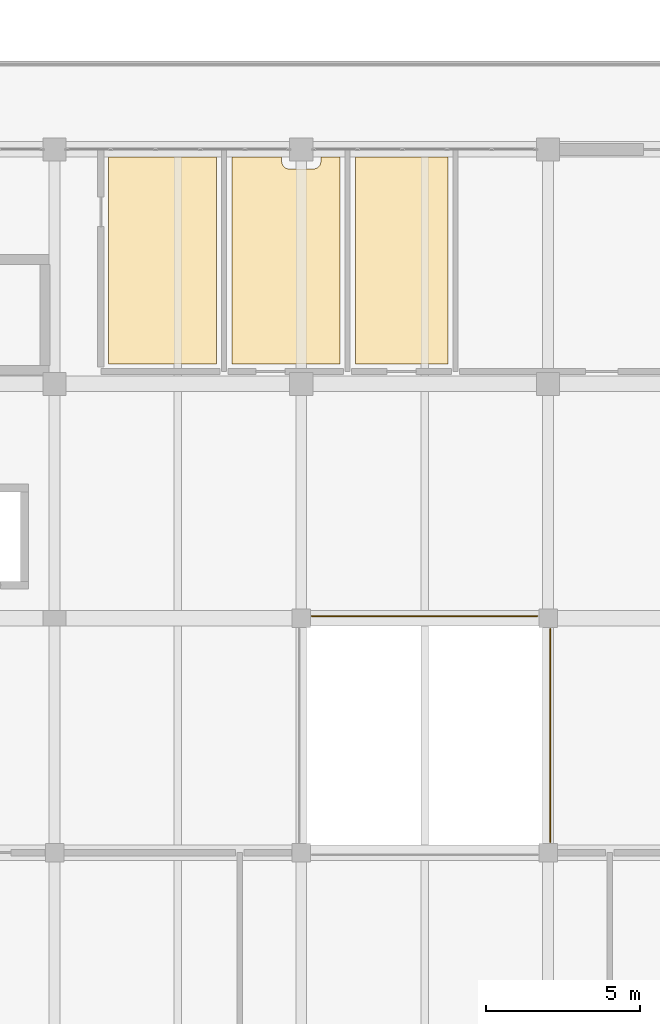
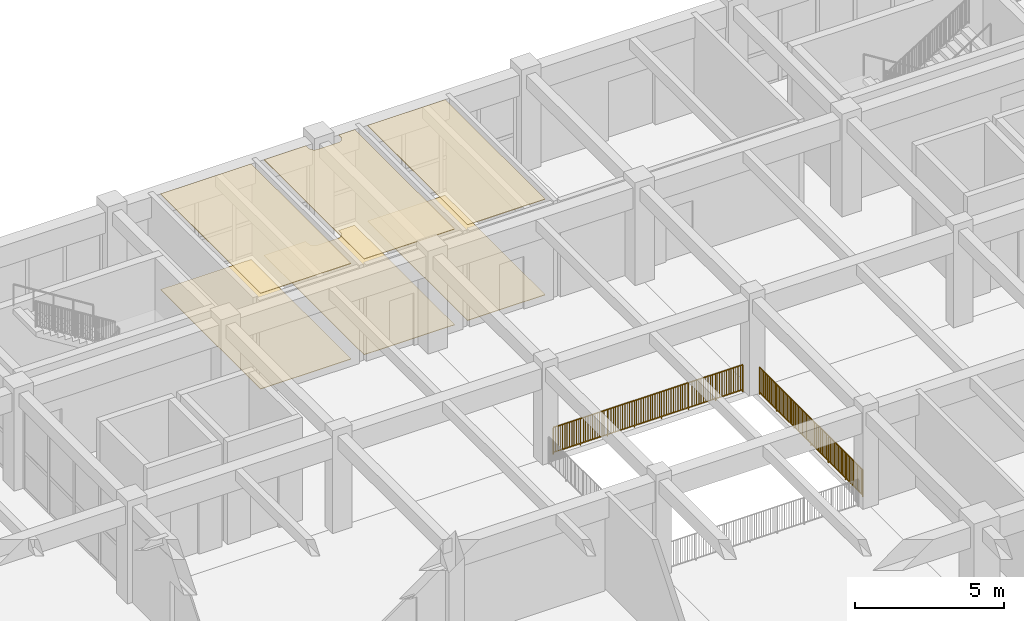
# One storey, part 55 of 63: 6 coverings, 2 railings.
"""IFC4 building model written with IfcOpenShell, lengths in metres."""

from ifc_helpers import new_model, si_unit, direction, frame, origin, origin_2d, place, context, subcontext, project, spatial, polyline, rectangle, circle, outline, extrude, material, layer, layer_set, type_object, element, save


model = new_model("IFC4")

# Units and contexts
model_context = context("Model", 3, precision=1e-05, world=origin(), true_north=direction((0.0, 1.0)))
body_context = subcontext(model_context, "Body", "Model", "MODEL_VIEW")
ifc_project = project(units=[si_unit("LENGTHUNIT", "METRE"), si_unit("AREAUNIT", "SQUARE_METRE"), si_unit("VOLUMEUNIT", "CUBIC_METRE"), si_unit("PLANEANGLEUNIT", "RADIAN"), si_unit("MASSUNIT", "GRAM", prefix="KILO")], contexts=[model_context])

# Site, building, storey
site_placement = place(None, origin())
site = spatial("IfcSite", under=ifc_project, at=site_placement, CompositionType="ELEMENT")
building_placement = place(site_placement, origin())
building = spatial("IfcBuilding", under=site, at=building_placement, Name="Zantavel Square City Hall", CompositionType="ELEMENT")
storey_placement = place(building_placement, frame((0.0, 0.0, 14.699951171875)))
storey = spatial("IfcBuildingStorey", under=building, at=storey_placement, Name="L04", CompositionType="ELEMENT", Elevation=14.699951171875)

# Railings
ifc_material_1 = material(Name="Steel ASTM A500 Grade B", Category="steel")
railing_type = type_object("IfcRailingType", Name="Atrium & Gallery Steel Guard Railing 1100mm", PredefinedType="GUARDRAIL", material=ifc_material_1)
railing_1_placement = place(storey_placement, frame((87.659912109375, 53.27001953125, 0.0)))
element("IfcRailing", 1, at=railing_1_placement, inside=storey, type_object=railing_type, Name="L04 Atrium Void Guard 037", PredefinedType="GUARDRAIL", context=body_context, shape_type="SweptSolid", body=[
    extrude(circle(Radius=0.02392578125, at=origin_2d()), frame((0.0, 0.0, 1.09619140625), z_axis=(-1.0, 0.0, 0.0), x_axis=(0.0, -1.0, 0.0)), (0.0, 0.0, 1.0), 7.31982421875),
    extrude(rectangle(XDim=0.031982421875, YDim=0.031982421875, at=origin_2d()), frame((0.0, 0.0, 0.080078125), z_axis=(-1.0, 0.0, 0.0), x_axis=(0.0, -1.0, 0.0)), (0.0, 0.0, 1.0), 7.31982421875),
    extrude(rectangle(XDim=0.02197265625, YDim=0.02197265625, at=origin_2d()), frame((-0.08935546875, 0.0, 0.080078125)), (0.0, 0.0, 1.0), 0.991943359375),
    extrude(rectangle(XDim=0.02197265625, YDim=0.02197265625, at=origin_2d()), frame((-0.178466796875, 0.0, 0.080078125)), (0.0, 0.0, 1.0), 0.991943359375),
    extrude(rectangle(XDim=0.02197265625, YDim=0.02197265625, at=origin_2d()), frame((-0.267822265625, 0.0, 0.080078125)), (0.0, 0.0, 1.0), 0.991943359375),
    extrude(rectangle(XDim=0.02197265625, YDim=0.02197265625, at=origin_2d()), frame((-0.357177734375, 0.0, 0.080078125)), (0.0, 0.0, 1.0), 0.991943359375),
    extrude(rectangle(XDim=0.02197265625, YDim=0.02197265625, at=origin_2d()), frame((-0.4462890625, 0.0, 0.080078125)), (0.0, 0.0, 1.0), 0.991943359375),
    extrude(rectangle(XDim=0.02197265625, YDim=0.02197265625, at=origin_2d()), frame((-0.53564453125, 0.0, 0.080078125)), (0.0, 0.0, 1.0), 0.991943359375),
    extrude(rectangle(XDim=0.02197265625, YDim=0.02197265625, at=origin_2d()), frame((-0.624755859375, 0.0, 0.080078125)), (0.0, 0.0, 1.0), 0.991943359375),
    extrude(rectangle(XDim=0.02197265625, YDim=0.02197265625, at=origin_2d()), frame((-0.714111328125, 0.0, 0.080078125)), (0.0, 0.0, 1.0), 0.991943359375),
    extrude(rectangle(XDim=0.02197265625, YDim=0.02197265625, at=origin_2d()), frame((-0.803466796875, 0.0, 0.080078125)), (0.0, 0.0, 1.0), 0.991943359375),
    extrude(rectangle(XDim=0.02197265625, YDim=0.02197265625, at=origin_2d()), frame((-0.892578125, 0.0, 0.080078125)), (0.0, 0.0, 1.0), 0.991943359375),
    extrude(rectangle(XDim=0.02197265625, YDim=0.02197265625, at=origin_2d()), frame((-0.98193359375, 0.0, 0.080078125)), (0.0, 0.0, 1.0), 0.991943359375),
    extrude(rectangle(XDim=0.02197265625, YDim=0.02197265625, at=origin_2d()), frame((-1.160400390625, 0.0, 0.080078125)), (0.0, 0.0, 1.0), 0.991943359375),
    extrude(rectangle(XDim=0.02197265625, YDim=0.02197265625, at=origin_2d()), frame((-1.249755859375, 0.0, 0.080078125)), (0.0, 0.0, 1.0), 0.991943359375),
    extrude(rectangle(XDim=0.02197265625, YDim=0.02197265625, at=origin_2d()), frame((-1.339111328125, 0.0, 0.080078125)), (0.0, 0.0, 1.0), 0.991943359375),
    extrude(rectangle(XDim=0.02197265625, YDim=0.02197265625, at=origin_2d()), frame((-1.42822265625, 0.0, 0.080078125)), (0.0, 0.0, 1.0), 0.991943359375),
    extrude(rectangle(XDim=0.02197265625, YDim=0.02197265625, at=origin_2d()), frame((-1.517578125, 0.0, 0.080078125)), (0.0, 0.0, 1.0), 0.991943359375),
    extrude(rectangle(XDim=0.02197265625, YDim=0.02197265625, at=origin_2d()), frame((-1.606689453125, 0.0, 0.080078125)), (0.0, 0.0, 1.0), 0.991943359375),
    extrude(rectangle(XDim=0.02197265625, YDim=0.02197265625, at=origin_2d()), frame((-1.696044921875, 0.0, 0.080078125)), (0.0, 0.0, 1.0), 0.991943359375),
    extrude(rectangle(XDim=0.02197265625, YDim=0.02197265625, at=origin_2d()), frame((-1.785400390625, 0.0, 0.080078125)), (0.0, 0.0, 1.0), 0.991943359375),
    extrude(rectangle(XDim=0.02197265625, YDim=0.02197265625, at=origin_2d()), frame((-1.87451171875, 0.0, 0.080078125)), (0.0, 0.0, 1.0), 0.991943359375),
    extrude(rectangle(XDim=0.02197265625, YDim=0.02197265625, at=origin_2d()), frame((-1.9638671875, 0.0, 0.080078125)), (0.0, 0.0, 1.0), 0.991943359375),
    extrude(rectangle(XDim=0.02197265625, YDim=0.02197265625, at=origin_2d()), frame((-2.142333984375, 0.0, 0.080078125)), (0.0, 0.0, 1.0), 0.991943359375),
    extrude(rectangle(XDim=0.02197265625, YDim=0.02197265625, at=origin_2d()), frame((-2.231689453125, 0.0, 0.080078125)), (0.0, 0.0, 1.0), 0.991943359375),
    extrude(rectangle(XDim=0.02197265625, YDim=0.02197265625, at=origin_2d()), frame((-2.32080078125, 0.0, 0.080078125)), (0.0, 0.0, 1.0), 0.991943359375),
    extrude(rectangle(XDim=0.02197265625, YDim=0.02197265625, at=origin_2d()), frame((-2.41015625, 0.0, 0.080078125)), (0.0, 0.0, 1.0), 0.991943359375),
    extrude(rectangle(XDim=0.02197265625, YDim=0.02197265625, at=origin_2d()), frame((-2.49951171875, 0.0, 0.080078125)), (0.0, 0.0, 1.0), 0.991943359375),
    extrude(rectangle(XDim=0.02197265625, YDim=0.02197265625, at=origin_2d()), frame((-2.588623046875, 0.0, 0.080078125)), (0.0, 0.0, 1.0), 0.991943359375),
    extrude(rectangle(XDim=0.02197265625, YDim=0.02197265625, at=origin_2d()), frame((-2.677978515625, 0.0, 0.080078125)), (0.0, 0.0, 1.0), 0.991943359375),
    extrude(rectangle(XDim=0.02197265625, YDim=0.02197265625, at=origin_2d()), frame((-2.767333984375, 0.0, 0.080078125)), (0.0, 0.0, 1.0), 0.991943359375),
    extrude(rectangle(XDim=0.02197265625, YDim=0.02197265625, at=origin_2d()), frame((-2.8564453125, 0.0, 0.080078125)), (0.0, 0.0, 1.0), 0.991943359375),
    extrude(rectangle(XDim=0.02197265625, YDim=0.02197265625, at=origin_2d()), frame((-2.94580078125, 0.0, 0.080078125)), (0.0, 0.0, 1.0), 0.991943359375),
    extrude(rectangle(XDim=0.02197265625, YDim=0.02197265625, at=origin_2d()), frame((-3.03515625, 0.0, 0.080078125)), (0.0, 0.0, 1.0), 0.991943359375),
    extrude(rectangle(XDim=0.02197265625, YDim=0.02197265625, at=origin_2d()), frame((-3.213623046875, 0.0, 0.080078125)), (0.0, 0.0, 1.0), 0.991943359375),
    extrude(rectangle(XDim=0.02197265625, YDim=0.02197265625, at=origin_2d()), frame((-3.302734375, 0.0, 0.080078125)), (0.0, 0.0, 1.0), 0.991943359375),
    extrude(rectangle(XDim=0.02197265625, YDim=0.02197265625, at=origin_2d()), frame((-3.39208984375, 0.0, 0.080078125)), (0.0, 0.0, 1.0), 0.991943359375),
    extrude(rectangle(XDim=0.02197265625, YDim=0.02197265625, at=origin_2d()), frame((-3.4814453125, 0.0, 0.080078125)), (0.0, 0.0, 1.0), 0.991943359375),
    extrude(rectangle(XDim=0.02197265625, YDim=0.02197265625, at=origin_2d()), frame((-3.570556640625, 0.0, 0.080078125)), (0.0, 0.0, 1.0), 0.991943359375),
    extrude(rectangle(XDim=0.02197265625, YDim=0.02197265625, at=origin_2d()), frame((-3.659912109375, 0.0, 0.080078125)), (0.0, 0.0, 1.0), 0.991943359375),
    extrude(rectangle(XDim=0.02197265625, YDim=0.02197265625, at=origin_2d()), frame((-3.749267578125, 0.0, 0.080078125)), (0.0, 0.0, 1.0), 0.991943359375),
    extrude(rectangle(XDim=0.02197265625, YDim=0.02197265625, at=origin_2d()), frame((-3.83837890625, 0.0, 0.080078125)), (0.0, 0.0, 1.0), 0.991943359375),
    extrude(rectangle(XDim=0.02197265625, YDim=0.02197265625, at=origin_2d()), frame((-3.927734375, 0.0, 0.080078125)), (0.0, 0.0, 1.0), 0.991943359375),
    extrude(rectangle(XDim=0.02197265625, YDim=0.02197265625, at=origin_2d()), frame((-4.01708984375, 0.0, 0.080078125)), (0.0, 0.0, 1.0), 0.991943359375),
    extrude(rectangle(XDim=0.02197265625, YDim=0.02197265625, at=origin_2d()), frame((-4.106201171875, 0.0, 0.080078125)), (0.0, 0.0, 1.0), 0.991943359375),
    extrude(rectangle(XDim=0.02197265625, YDim=0.02197265625, at=origin_2d()), frame((-4.28466796875, 0.0, 0.080078125)), (0.0, 0.0, 1.0), 0.991943359375),
    extrude(rectangle(XDim=0.02197265625, YDim=0.02197265625, at=origin_2d()), frame((-4.3740234375, 0.0, 0.080078125)), (0.0, 0.0, 1.0), 0.991943359375),
    extrude(rectangle(XDim=0.02197265625, YDim=0.02197265625, at=origin_2d()), frame((-4.46337890625, 0.0, 0.080078125)), (0.0, 0.0, 1.0), 0.991943359375),
    extrude(rectangle(XDim=0.02197265625, YDim=0.02197265625, at=origin_2d()), frame((-4.552490234375, 0.0, 0.080078125)), (0.0, 0.0, 1.0), 0.991943359375),
    extrude(rectangle(XDim=0.02197265625, YDim=0.02197265625, at=origin_2d()), frame((-4.641845703125, 0.0, 0.080078125)), (0.0, 0.0, 1.0), 0.991943359375),
    extrude(rectangle(XDim=0.02197265625, YDim=0.02197265625, at=origin_2d()), frame((-4.731201171875, 0.0, 0.080078125)), (0.0, 0.0, 1.0), 0.991943359375),
    extrude(rectangle(XDim=0.02197265625, YDim=0.02197265625, at=origin_2d()), frame((-4.8203125, 0.0, 0.080078125)), (0.0, 0.0, 1.0), 0.991943359375),
    extrude(rectangle(XDim=0.02197265625, YDim=0.02197265625, at=origin_2d()), frame((-4.90966796875, 0.0, 0.080078125)), (0.0, 0.0, 1.0), 0.991943359375),
    extrude(rectangle(XDim=0.02197265625, YDim=0.02197265625, at=origin_2d()), frame((-4.9990234375, 0.0, 0.080078125)), (0.0, 0.0, 1.0), 0.991943359375),
    extrude(rectangle(XDim=0.02197265625, YDim=0.02197265625, at=origin_2d()), frame((-5.088134765625, 0.0, 0.080078125)), (0.0, 0.0, 1.0), 0.991943359375),
    extrude(rectangle(XDim=0.02197265625, YDim=0.02197265625, at=origin_2d()), frame((-5.177490234375, 0.0, 0.080078125)), (0.0, 0.0, 1.0), 0.991943359375),
    extrude(rectangle(XDim=0.02197265625, YDim=0.02197265625, at=origin_2d()), frame((-5.35595703125, 0.0, 0.080078125)), (0.0, 0.0, 1.0), 0.991943359375),
    extrude(rectangle(XDim=0.02197265625, YDim=0.02197265625, at=origin_2d()), frame((-5.4453125, 0.0, 0.080078125)), (0.0, 0.0, 1.0), 0.991943359375),
    extrude(rectangle(XDim=0.02197265625, YDim=0.02197265625, at=origin_2d()), frame((-5.534423828125, 0.0, 0.080078125)), (0.0, 0.0, 1.0), 0.991943359375),
    extrude(rectangle(XDim=0.02197265625, YDim=0.02197265625, at=origin_2d()), frame((-5.623779296875, 0.0, 0.080078125)), (0.0, 0.0, 1.0), 0.991943359375),
    extrude(rectangle(XDim=0.02197265625, YDim=0.02197265625, at=origin_2d()), frame((-5.713134765625, 0.0, 0.080078125)), (0.0, 0.0, 1.0), 0.991943359375),
    extrude(rectangle(XDim=0.02197265625, YDim=0.02197265625, at=origin_2d()), frame((-5.80224609375, 0.0, 0.080078125)), (0.0, 0.0, 1.0), 0.991943359375),
    extrude(rectangle(XDim=0.02197265625, YDim=0.02197265625, at=origin_2d()), frame((-5.8916015625, 0.0, 0.080078125)), (0.0, 0.0, 1.0), 0.991943359375),
    extrude(rectangle(XDim=0.02197265625, YDim=0.02197265625, at=origin_2d()), frame((-5.980712890625, 0.0, 0.080078125)), (0.0, 0.0, 1.0), 0.991943359375),
    extrude(rectangle(XDim=0.02197265625, YDim=0.02197265625, at=origin_2d()), frame((-6.070068359375, 0.0, 0.080078125)), (0.0, 0.0, 1.0), 0.991943359375),
    extrude(rectangle(XDim=0.02197265625, YDim=0.02197265625, at=origin_2d()), frame((-6.159423828125, 0.0, 0.080078125)), (0.0, 0.0, 1.0), 0.991943359375),
    extrude(rectangle(XDim=0.02197265625, YDim=0.02197265625, at=origin_2d()), frame((-6.337890625, 0.0, 0.080078125)), (0.0, 0.0, 1.0), 0.991943359375),
    extrude(rectangle(XDim=0.02197265625, YDim=0.02197265625, at=origin_2d()), frame((-6.42724609375, 0.0, 0.080078125)), (0.0, 0.0, 1.0), 0.991943359375),
    extrude(rectangle(XDim=0.02197265625, YDim=0.02197265625, at=origin_2d()), frame((-6.516357421875, 0.0, 0.080078125)), (0.0, 0.0, 1.0), 0.991943359375),
    extrude(rectangle(XDim=0.02197265625, YDim=0.02197265625, at=origin_2d()), frame((-6.605712890625, 0.0, 0.080078125)), (0.0, 0.0, 1.0), 0.991943359375),
    extrude(rectangle(XDim=0.02197265625, YDim=0.02197265625, at=origin_2d()), frame((-6.695068359375, 0.0, 0.080078125)), (0.0, 0.0, 1.0), 0.991943359375),
    extrude(rectangle(XDim=0.02197265625, YDim=0.02197265625, at=origin_2d()), frame((-6.7841796875, 0.0, 0.080078125)), (0.0, 0.0, 1.0), 0.991943359375),
    extrude(rectangle(XDim=0.02197265625, YDim=0.02197265625, at=origin_2d()), frame((-6.87353515625, 0.0, 0.080078125)), (0.0, 0.0, 1.0), 0.991943359375),
    extrude(rectangle(XDim=0.02197265625, YDim=0.02197265625, at=origin_2d()), frame((-6.962646484375, 0.0, 0.080078125)), (0.0, 0.0, 1.0), 0.991943359375),
    extrude(rectangle(XDim=0.02197265625, YDim=0.02197265625, at=origin_2d()), frame((-7.052001953125, 0.0, 0.080078125)), (0.0, 0.0, 1.0), 0.991943359375),
    extrude(rectangle(XDim=0.02197265625, YDim=0.02197265625, at=origin_2d()), frame((-7.141357421875, 0.0, 0.080078125)), (0.0, 0.0, 1.0), 0.991943359375),
    extrude(rectangle(XDim=0.02197265625, YDim=0.02197265625, at=origin_2d()), frame((-7.23046875, 0.0, 0.080078125)), (0.0, 0.0, 1.0), 0.991943359375),
    extrude(circle(Radius=0.02099609375, at=origin_2d()), origin(), (0.0, 0.0, 1.0), 1.072021484375),
    extrude(circle(Radius=0.02099609375, at=origin_2d()), frame((-1.045654296875, 0.0, 0.0)), (0.0, 0.0, 1.0), 1.072021484375),
    extrude(circle(Radius=0.02099609375, at=origin_2d()), frame((-2.09130859375, 0.0, 0.0)), (0.0, 0.0, 1.0), 1.072021484375),
    extrude(circle(Radius=0.02099609375, at=origin_2d()), frame((-3.136962890625, 0.0, 0.0)), (0.0, 0.0, 1.0), 1.072021484375),
    extrude(circle(Radius=0.02099609375, at=origin_2d()), frame((-4.182861328125, 0.0, 0.0)), (0.0, 0.0, 1.0), 1.072021484375),
    extrude(circle(Radius=0.02099609375, at=origin_2d()), frame((-5.228515625, 0.0, 0.0)), (0.0, 0.0, 1.0), 1.072021484375),
    extrude(circle(Radius=0.02099609375, at=origin_2d()), frame((-6.274169921875, 0.0, 0.0)), (0.0, 0.0, 1.0), 1.072021484375),
    extrude(circle(Radius=0.02099609375, at=origin_2d()), frame((-7.31982421875, 0.0, 0.0)), (0.0, 0.0, 1.0), 1.072021484375),
])
railing_2_placement = place(storey_placement, frame((88.070068359375, 45.93994140625, 0.0)))
element("IfcRailing", 2, at=railing_2_placement, inside=storey, type_object=railing_type, Name="L04 Atrium Void Guard 038", PredefinedType="GUARDRAIL", context=body_context, shape_type="SweptSolid", body=[
    extrude(circle(Radius=0.02392578125, at=origin_2d()), frame((0.0, 0.0, 1.09619140625), z_axis=(0.0, 1.0, 0.0), x_axis=(-1.0, 0.0, 0.0)), (0.0, 0.0, 1.0), 6.920166015625),
    extrude(rectangle(XDim=0.031982421875, YDim=0.031982421875, at=origin_2d()), frame((0.0, 0.0, 0.080078125), z_axis=(0.0, 1.0, 0.0), x_axis=(-1.0, 0.0, 0.0)), (0.0, 0.0, 1.0), 6.920166015625),
    extrude(rectangle(XDim=0.02197265625, YDim=0.02197265625, at=origin_2d()), frame((0.0, 0.08984375, 0.080078125)), (0.0, 0.0, 1.0), 0.991943359375),
    extrude(rectangle(XDim=0.02197265625, YDim=0.02197265625, at=origin_2d()), frame((0.0, 0.1796875, 0.080078125)), (0.0, 0.0, 1.0), 0.991943359375),
    extrude(rectangle(XDim=0.02197265625, YDim=0.02197265625, at=origin_2d()), frame((0.0, 0.26953125, 0.080078125)), (0.0, 0.0, 1.0), 0.991943359375),
    extrude(rectangle(XDim=0.02197265625, YDim=0.02197265625, at=origin_2d()), frame((0.0, 0.359375, 0.080078125)), (0.0, 0.0, 1.0), 0.991943359375),
    extrude(rectangle(XDim=0.02197265625, YDim=0.02197265625, at=origin_2d()), frame((0.0, 0.449462890625, 0.080078125)), (0.0, 0.0, 1.0), 0.991943359375),
    extrude(rectangle(XDim=0.02197265625, YDim=0.02197265625, at=origin_2d()), frame((0.0, 0.539306640625, 0.080078125)), (0.0, 0.0, 1.0), 0.991943359375),
    extrude(rectangle(XDim=0.02197265625, YDim=0.02197265625, at=origin_2d()), frame((0.0, 0.629150390625, 0.080078125)), (0.0, 0.0, 1.0), 0.991943359375),
    extrude(rectangle(XDim=0.02197265625, YDim=0.02197265625, at=origin_2d()), frame((0.0, 0.718994140625, 0.080078125)), (0.0, 0.0, 1.0), 0.991943359375),
    extrude(rectangle(XDim=0.02197265625, YDim=0.02197265625, at=origin_2d()), frame((0.0, 0.808837890625, 0.080078125)), (0.0, 0.0, 1.0), 0.991943359375),
    extrude(rectangle(XDim=0.02197265625, YDim=0.02197265625, at=origin_2d()), frame((0.0, 0.898681640625, 0.080078125)), (0.0, 0.0, 1.0), 0.991943359375),
    extrude(rectangle(XDim=0.02197265625, YDim=0.02197265625, at=origin_2d()), frame((0.0, 0.988525390625, 0.080078125)), (0.0, 0.0, 1.0), 0.991943359375),
    extrude(rectangle(XDim=0.02197265625, YDim=0.02197265625, at=origin_2d()), frame((0.0, 1.078369140625, 0.080078125)), (0.0, 0.0, 1.0), 0.991943359375),
    extrude(rectangle(XDim=0.02197265625, YDim=0.02197265625, at=origin_2d()), frame((0.0, 1.25830078125, 0.080078125)), (0.0, 0.0, 1.0), 0.991943359375),
    extrude(rectangle(XDim=0.02197265625, YDim=0.02197265625, at=origin_2d()), frame((0.0, 1.34814453125, 0.080078125)), (0.0, 0.0, 1.0), 0.991943359375),
    extrude(rectangle(XDim=0.02197265625, YDim=0.02197265625, at=origin_2d()), frame((0.0, 1.43798828125, 0.080078125)), (0.0, 0.0, 1.0), 0.991943359375),
    extrude(rectangle(XDim=0.02197265625, YDim=0.02197265625, at=origin_2d()), frame((0.0, 1.52783203125, 0.080078125)), (0.0, 0.0, 1.0), 0.991943359375),
    extrude(rectangle(XDim=0.02197265625, YDim=0.02197265625, at=origin_2d()), frame((0.0, 1.61767578125, 0.080078125)), (0.0, 0.0, 1.0), 0.991943359375),
    extrude(rectangle(XDim=0.02197265625, YDim=0.02197265625, at=origin_2d()), frame((0.0, 1.70751953125, 0.080078125)), (0.0, 0.0, 1.0), 0.991943359375),
    extrude(rectangle(XDim=0.02197265625, YDim=0.02197265625, at=origin_2d()), frame((0.0, 1.79736328125, 0.080078125)), (0.0, 0.0, 1.0), 0.991943359375),
    extrude(rectangle(XDim=0.02197265625, YDim=0.02197265625, at=origin_2d()), frame((0.0, 1.88720703125, 0.080078125)), (0.0, 0.0, 1.0), 0.991943359375),
    extrude(rectangle(XDim=0.02197265625, YDim=0.02197265625, at=origin_2d()), frame((0.0, 1.977294921875, 0.080078125)), (0.0, 0.0, 1.0), 0.991943359375),
    extrude(rectangle(XDim=0.02197265625, YDim=0.02197265625, at=origin_2d()), frame((0.0, 2.067138671875, 0.080078125)), (0.0, 0.0, 1.0), 0.991943359375),
    extrude(rectangle(XDim=0.02197265625, YDim=0.02197265625, at=origin_2d()), frame((0.0, 2.156982421875, 0.080078125)), (0.0, 0.0, 1.0), 0.991943359375),
    extrude(rectangle(XDim=0.02197265625, YDim=0.02197265625, at=origin_2d()), frame((0.0, 2.246826171875, 0.080078125)), (0.0, 0.0, 1.0), 0.991943359375),
    extrude(rectangle(XDim=0.02197265625, YDim=0.02197265625, at=origin_2d()), frame((0.0, 2.426513671875, 0.080078125)), (0.0, 0.0, 1.0), 0.991943359375),
    extrude(rectangle(XDim=0.02197265625, YDim=0.02197265625, at=origin_2d()), frame((0.0, 2.516357421875, 0.080078125)), (0.0, 0.0, 1.0), 0.991943359375),
    extrude(rectangle(XDim=0.02197265625, YDim=0.02197265625, at=origin_2d()), frame((0.0, 2.606201171875, 0.080078125)), (0.0, 0.0, 1.0), 0.991943359375),
    extrude(rectangle(XDim=0.02197265625, YDim=0.02197265625, at=origin_2d()), frame((0.0, 2.6962890625, 0.080078125)), (0.0, 0.0, 1.0), 0.991943359375),
    extrude(rectangle(XDim=0.02197265625, YDim=0.02197265625, at=origin_2d()), frame((0.0, 2.7861328125, 0.080078125)), (0.0, 0.0, 1.0), 0.991943359375),
    extrude(rectangle(XDim=0.02197265625, YDim=0.02197265625, at=origin_2d()), frame((0.0, 2.8759765625, 0.080078125)), (0.0, 0.0, 1.0), 0.991943359375),
    extrude(rectangle(XDim=0.02197265625, YDim=0.02197265625, at=origin_2d()), frame((0.0, 2.9658203125, 0.080078125)), (0.0, 0.0, 1.0), 0.991943359375),
    extrude(rectangle(XDim=0.02197265625, YDim=0.02197265625, at=origin_2d()), frame((0.0, 3.0556640625, 0.080078125)), (0.0, 0.0, 1.0), 0.991943359375),
    extrude(rectangle(XDim=0.02197265625, YDim=0.02197265625, at=origin_2d()), frame((0.0, 3.1455078125, 0.080078125)), (0.0, 0.0, 1.0), 0.991943359375),
    extrude(rectangle(XDim=0.02197265625, YDim=0.02197265625, at=origin_2d()), frame((0.0, 3.2353515625, 0.080078125)), (0.0, 0.0, 1.0), 0.991943359375),
    extrude(rectangle(XDim=0.02197265625, YDim=0.02197265625, at=origin_2d()), frame((0.0, 3.3251953125, 0.080078125)), (0.0, 0.0, 1.0), 0.991943359375),
    extrude(rectangle(XDim=0.02197265625, YDim=0.02197265625, at=origin_2d()), frame((0.0, 3.594970703125, 0.080078125)), (0.0, 0.0, 1.0), 0.991943359375),
    extrude(rectangle(XDim=0.02197265625, YDim=0.02197265625, at=origin_2d()), frame((0.0, 3.684814453125, 0.080078125)), (0.0, 0.0, 1.0), 0.991943359375),
    extrude(rectangle(XDim=0.02197265625, YDim=0.02197265625, at=origin_2d()), frame((0.0, 3.774658203125, 0.080078125)), (0.0, 0.0, 1.0), 0.991943359375),
    extrude(rectangle(XDim=0.02197265625, YDim=0.02197265625, at=origin_2d()), frame((0.0, 3.864501953125, 0.080078125)), (0.0, 0.0, 1.0), 0.991943359375),
    extrude(rectangle(XDim=0.02197265625, YDim=0.02197265625, at=origin_2d()), frame((0.0, 3.954345703125, 0.080078125)), (0.0, 0.0, 1.0), 0.991943359375),
    extrude(rectangle(XDim=0.02197265625, YDim=0.02197265625, at=origin_2d()), frame((0.0, 4.044189453125, 0.080078125)), (0.0, 0.0, 1.0), 0.991943359375),
    extrude(rectangle(XDim=0.02197265625, YDim=0.02197265625, at=origin_2d()), frame((0.0, 4.134033203125, 0.080078125)), (0.0, 0.0, 1.0), 0.991943359375),
    extrude(rectangle(XDim=0.02197265625, YDim=0.02197265625, at=origin_2d()), frame((0.0, 4.223876953125, 0.080078125)), (0.0, 0.0, 1.0), 0.991943359375),
    extrude(rectangle(XDim=0.02197265625, YDim=0.02197265625, at=origin_2d()), frame((0.0, 4.31396484375, 0.080078125)), (0.0, 0.0, 1.0), 0.991943359375),
    extrude(rectangle(XDim=0.02197265625, YDim=0.02197265625, at=origin_2d()), frame((0.0, 4.40380859375, 0.080078125)), (0.0, 0.0, 1.0), 0.991943359375),
    extrude(rectangle(XDim=0.02197265625, YDim=0.02197265625, at=origin_2d()), frame((0.0, 4.49365234375, 0.080078125)), (0.0, 0.0, 1.0), 0.991943359375),
    extrude(rectangle(XDim=0.02197265625, YDim=0.02197265625, at=origin_2d()), frame((0.0, 4.67333984375, 0.080078125)), (0.0, 0.0, 1.0), 0.991943359375),
    extrude(rectangle(XDim=0.02197265625, YDim=0.02197265625, at=origin_2d()), frame((0.0, 4.76318359375, 0.080078125)), (0.0, 0.0, 1.0), 0.991943359375),
    extrude(rectangle(XDim=0.02197265625, YDim=0.02197265625, at=origin_2d()), frame((0.0, 4.85302734375, 0.080078125)), (0.0, 0.0, 1.0), 0.991943359375),
    extrude(rectangle(XDim=0.02197265625, YDim=0.02197265625, at=origin_2d()), frame((0.0, 4.94287109375, 0.080078125)), (0.0, 0.0, 1.0), 0.991943359375),
    extrude(rectangle(XDim=0.02197265625, YDim=0.02197265625, at=origin_2d()), frame((0.0, 5.032958984375, 0.080078125)), (0.0, 0.0, 1.0), 0.991943359375),
    extrude(rectangle(XDim=0.02197265625, YDim=0.02197265625, at=origin_2d()), frame((0.0, 5.122802734375, 0.080078125)), (0.0, 0.0, 1.0), 0.991943359375),
    extrude(rectangle(XDim=0.02197265625, YDim=0.02197265625, at=origin_2d()), frame((0.0, 5.212646484375, 0.080078125)), (0.0, 0.0, 1.0), 0.991943359375),
    extrude(rectangle(XDim=0.02197265625, YDim=0.02197265625, at=origin_2d()), frame((0.0, 5.302490234375, 0.080078125)), (0.0, 0.0, 1.0), 0.991943359375),
    extrude(rectangle(XDim=0.02197265625, YDim=0.02197265625, at=origin_2d()), frame((0.0, 5.392333984375, 0.080078125)), (0.0, 0.0, 1.0), 0.991943359375),
    extrude(rectangle(XDim=0.02197265625, YDim=0.02197265625, at=origin_2d()), frame((0.0, 5.482177734375, 0.080078125)), (0.0, 0.0, 1.0), 0.991943359375),
    extrude(rectangle(XDim=0.02197265625, YDim=0.02197265625, at=origin_2d()), frame((0.0, 5.572021484375, 0.080078125)), (0.0, 0.0, 1.0), 0.991943359375),
    extrude(rectangle(XDim=0.02197265625, YDim=0.02197265625, at=origin_2d()), frame((0.0, 5.661865234375, 0.080078125)), (0.0, 0.0, 1.0), 0.991943359375),
    extrude(rectangle(XDim=0.02197265625, YDim=0.02197265625, at=origin_2d()), frame((0.0, 5.841796875, 0.080078125)), (0.0, 0.0, 1.0), 0.991943359375),
    extrude(rectangle(XDim=0.02197265625, YDim=0.02197265625, at=origin_2d()), frame((0.0, 5.931640625, 0.080078125)), (0.0, 0.0, 1.0), 0.991943359375),
    extrude(rectangle(XDim=0.02197265625, YDim=0.02197265625, at=origin_2d()), frame((0.0, 6.021484375, 0.080078125)), (0.0, 0.0, 1.0), 0.991943359375),
    extrude(rectangle(XDim=0.02197265625, YDim=0.02197265625, at=origin_2d()), frame((0.0, 6.111328125, 0.080078125)), (0.0, 0.0, 1.0), 0.991943359375),
    extrude(rectangle(XDim=0.02197265625, YDim=0.02197265625, at=origin_2d()), frame((0.0, 6.201171875, 0.080078125)), (0.0, 0.0, 1.0), 0.991943359375),
    extrude(rectangle(XDim=0.02197265625, YDim=0.02197265625, at=origin_2d()), frame((0.0, 6.291015625, 0.080078125)), (0.0, 0.0, 1.0), 0.991943359375),
    extrude(rectangle(XDim=0.02197265625, YDim=0.02197265625, at=origin_2d()), frame((0.0, 6.380859375, 0.080078125)), (0.0, 0.0, 1.0), 0.991943359375),
    extrude(rectangle(XDim=0.02197265625, YDim=0.02197265625, at=origin_2d()), frame((0.0, 6.470703125, 0.080078125)), (0.0, 0.0, 1.0), 0.991943359375),
    extrude(rectangle(XDim=0.02197265625, YDim=0.02197265625, at=origin_2d()), frame((0.0, 6.560791015625, 0.080078125)), (0.0, 0.0, 1.0), 0.991943359375),
    extrude(rectangle(XDim=0.02197265625, YDim=0.02197265625, at=origin_2d()), frame((0.0, 6.650634765625, 0.080078125)), (0.0, 0.0, 1.0), 0.991943359375),
    extrude(rectangle(XDim=0.02197265625, YDim=0.02197265625, at=origin_2d()), frame((0.0, 6.740478515625, 0.080078125)), (0.0, 0.0, 1.0), 0.991943359375),
    extrude(rectangle(XDim=0.02197265625, YDim=0.02197265625, at=origin_2d()), frame((0.0, 6.830322265625, 0.080078125)), (0.0, 0.0, 1.0), 0.991943359375),
    extrude(circle(Radius=0.02099609375, at=origin_2d()), origin(), (0.0, 0.0, 1.0), 1.072021484375),
    extrude(circle(Radius=0.02099609375, at=origin_2d()), frame((0.0, 1.1533203125, 0.0)), (0.0, 0.0, 1.0), 1.072021484375),
    extrude(circle(Radius=0.02099609375, at=origin_2d()), frame((0.0, 2.306640625, 0.0)), (0.0, 0.0, 1.0), 1.072021484375),
    extrude(circle(Radius=0.02099609375, at=origin_2d()), frame((0.0, 3.4599609375, 0.0)), (0.0, 0.0, 1.0), 1.072021484375),
    extrude(circle(Radius=0.02099609375, at=origin_2d()), frame((0.0, 4.613525390625, 0.0)), (0.0, 0.0, 1.0), 1.072021484375),
    extrude(circle(Radius=0.02099609375, at=origin_2d()), frame((0.0, 5.766845703125, 0.0)), (0.0, 0.0, 1.0), 1.072021484375),
    extrude(circle(Radius=0.02099609375, at=origin_2d()), frame((0.0, 6.920166015625, 0.0)), (0.0, 0.0, 1.0), 1.072021484375),
])

# Coverings
ifc_material_2 = material(Name="Terrazzo stone finish", Category="masonry")
ifc_layer_1 = layer(ifc_material_2, 0.02001953125, Name="Terrazzo stone finish")
ifc_layer_set_1 = layer_set([ifc_layer_1], Name="Terrazzo stone finish")
covering_type_1 = type_object("IfcCoveringType", Name="Honed Cantera-Terrazzo Civic Flooring 20mm", PredefinedType="FLOORING", material=ifc_layer_set_1)
covering_1_placement = place(storey_placement, origin())
element("IfcCovering", 3, at=covering_1_placement, inside=storey, type_object=covering_type_1, Name="L04 L04 Mens Restroom Terrazzo Flooring", PredefinedType="FLOORING", context=body_context, shape_type="SweptSolid", body=[
    extrude(outline(polyline([(73.75, 61.449951171875), (73.75, 68.14990234375), (77.25, 68.14990234375), (77.25, 61.449951171875), (73.75, 61.449951171875)])), origin(), (0.0, 0.0, 1.0), 0.02001953125),
])
covering_2_placement = place(storey_placement, origin())
element("IfcCovering", 4, at=covering_2_placement, inside=storey, type_object=covering_type_1, Name="L04 L04 Womens Restroom Terrazzo Flooring", PredefinedType="FLOORING", context=body_context, shape_type="SweptSolid", body=[
    extrude(outline(polyline([(79.3662109375, 67.990478515625), (79.369873046875, 67.96630859375), (79.375732421875, 67.9423828125), (79.384033203125, 67.919189453125), (79.39453125, 67.897216796875), (79.406982421875, 67.876220703125), (79.421630859375, 67.8564453125), (79.438232421875, 67.838134765625), (79.456298828125, 67.82177734375), (79.47607421875, 67.80712890625), (79.497314453125, 67.79443359375), (79.519287109375, 67.783935546875), (79.54248046875, 67.77587890625), (79.566162109375, 67.769775390625), (79.590576171875, 67.76611328125), (79.614990234375, 67.764892578125), (80.385009765625, 67.764892578125), (80.409423828125, 67.76611328125), (80.433837890625, 67.769775390625), (80.45751953125, 67.77587890625), (80.480712890625, 67.783935546875), (80.502685546875, 67.79443359375), (80.52392578125, 67.80712890625), (80.543701171875, 67.82177734375), (80.561767578125, 67.838134765625), (80.578369140625, 67.8564453125), (80.593017578125, 67.876220703125), (80.60546875, 67.897216796875), (80.615966796875, 67.919189453125), (80.624267578125, 67.9423828125), (80.630126953125, 67.96630859375), (80.6337890625, 67.990478515625), (80.635009765625, 68.014892578125), (80.635009765625, 68.14990234375), (81.25, 68.14990234375), (81.25, 61.449951171875), (77.75, 61.449951171875), (77.75, 68.14990234375), (79.364990234375, 68.14990234375), (79.364990234375, 68.014892578125), (79.3662109375, 67.990478515625)])), origin(), (0.0, 0.0, 1.0), 0.02001953125),
])
covering_3_placement = place(storey_placement, origin())
element("IfcCovering", 5, at=covering_3_placement, inside=storey, type_object=covering_type_1, Name="L04 L04 Accessible WC Terrazzo Flooring", PredefinedType="FLOORING", context=body_context, shape_type="SweptSolid", body=[
    extrude(outline(polyline([(81.75, 61.449951171875), (81.75, 68.14990234375), (84.75, 68.14990234375), (84.75, 61.449951171875), (81.75, 61.449951171875)])), origin(), (0.0, 0.0, 1.0), 0.02001953125),
])
ifc_material_3 = material(Name="Gypsum acoustic stud assembly", Category="masonry")
ifc_layer_2 = layer(ifc_material_3, 0.02490234375, Name="Gypsum acoustic stud assembly")
ifc_layer_set_2 = layer_set([ifc_layer_2], Name="Gypsum acoustic stud assembly")
covering_type_2 = type_object("IfcCoveringType", Name="Perforated Gypsum Acoustic Ceiling 25mm", PredefinedType="CEILING", material=ifc_layer_set_2)
covering_4_placement = place(storey_placement, frame((0.0, 0.0, 3.905029296875)))
element("IfcCovering", 6, at=covering_4_placement, inside=storey, type_object=covering_type_2, Name="L04 L04 Mens Restroom Acoustic Ceiling", PredefinedType="CEILING", context=body_context, shape_type="SweptSolid", body=[
    extrude(outline(polyline([(73.75, 61.449951171875), (73.75, 68.14990234375), (77.25, 68.14990234375), (77.25, 61.449951171875), (73.75, 61.449951171875)])), origin(), (0.0, 0.0, 1.0), 0.02490234375),
])
covering_5_placement = place(storey_placement, frame((0.0, 0.0, 3.905029296875)))
element("IfcCovering", 7, at=covering_5_placement, inside=storey, type_object=covering_type_2, Name="L04 L04 Womens Restroom Acoustic Ceiling", PredefinedType="CEILING", context=body_context, shape_type="SweptSolid", body=[
    extrude(outline(polyline([(79.3662109375, 67.990478515625), (79.369873046875, 67.96630859375), (79.375732421875, 67.9423828125), (79.384033203125, 67.919189453125), (79.39453125, 67.897216796875), (79.406982421875, 67.876220703125), (79.421630859375, 67.8564453125), (79.438232421875, 67.838134765625), (79.456298828125, 67.82177734375), (79.47607421875, 67.80712890625), (79.497314453125, 67.79443359375), (79.519287109375, 67.783935546875), (79.54248046875, 67.77587890625), (79.566162109375, 67.769775390625), (79.590576171875, 67.76611328125), (79.614990234375, 67.764892578125), (80.385009765625, 67.764892578125), (80.409423828125, 67.76611328125), (80.433837890625, 67.769775390625), (80.45751953125, 67.77587890625), (80.480712890625, 67.783935546875), (80.502685546875, 67.79443359375), (80.52392578125, 67.80712890625), (80.543701171875, 67.82177734375), (80.561767578125, 67.838134765625), (80.578369140625, 67.8564453125), (80.593017578125, 67.876220703125), (80.60546875, 67.897216796875), (80.615966796875, 67.919189453125), (80.624267578125, 67.9423828125), (80.630126953125, 67.96630859375), (80.6337890625, 67.990478515625), (80.635009765625, 68.014892578125), (80.635009765625, 68.14990234375), (81.25, 68.14990234375), (81.25, 61.449951171875), (77.75, 61.449951171875), (77.75, 68.14990234375), (79.364990234375, 68.14990234375), (79.364990234375, 68.014892578125), (79.3662109375, 67.990478515625)])), origin(), (0.0, 0.0, 1.0), 0.02490234375),
])
covering_6_placement = place(storey_placement, frame((0.0, 0.0, 3.905029296875)))
element("IfcCovering", 8, at=covering_6_placement, inside=storey, type_object=covering_type_2, Name="L04 L04 Accessible WC Acoustic Ceiling", PredefinedType="CEILING", context=body_context, shape_type="SweptSolid", body=[
    extrude(outline(polyline([(81.75, 61.449951171875), (81.75, 68.14990234375), (84.75, 68.14990234375), (84.75, 61.449951171875), (81.75, 61.449951171875)])), origin(), (0.0, 0.0, 1.0), 0.02490234375),
])

save(model, "model.ifc")
